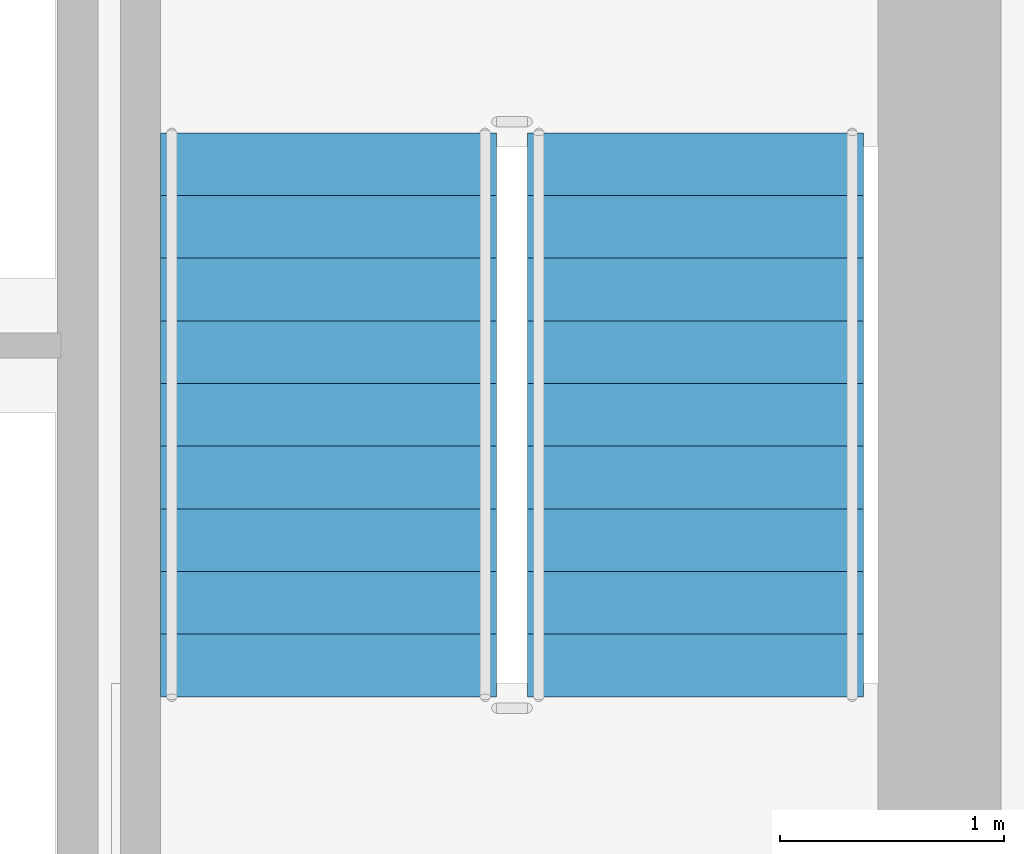
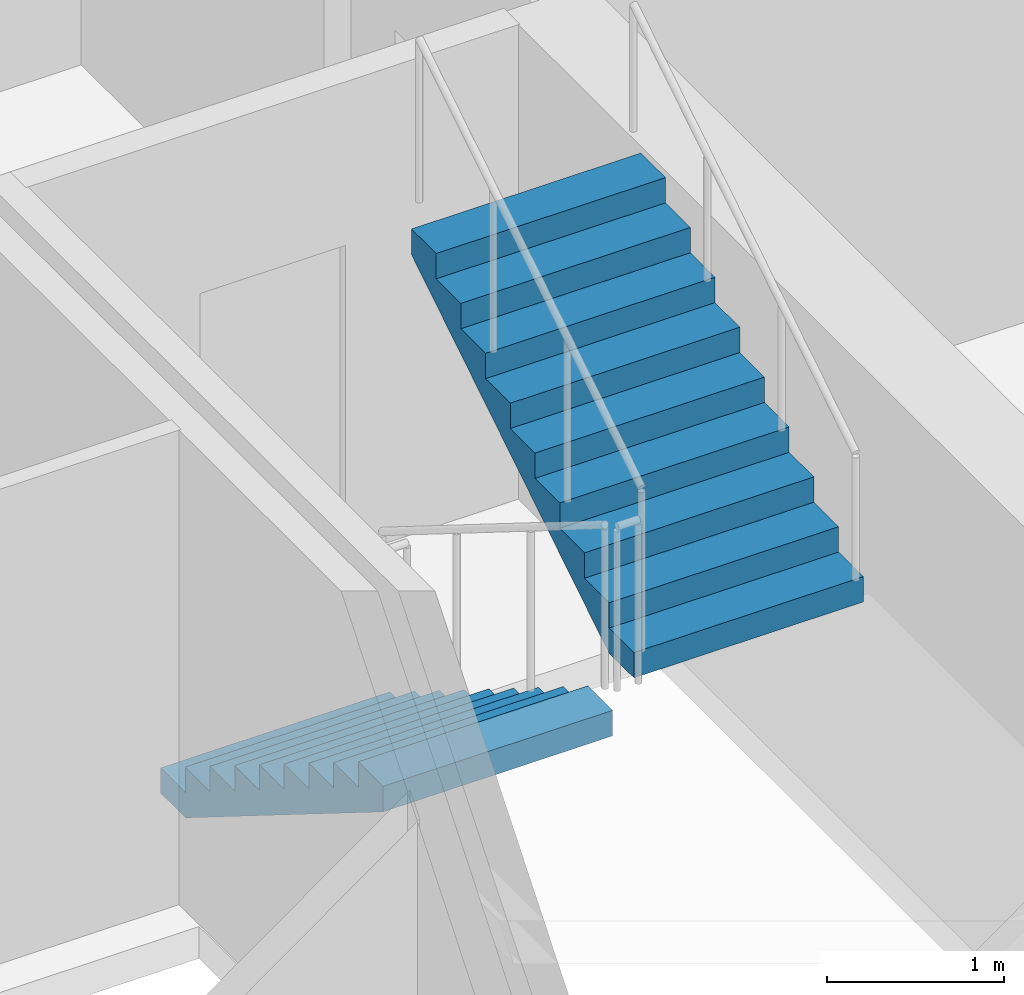
# One storey, part 6 of 11: 2 stair flights, 1 element without a shape of its own.
"""IFC4 building model written with IfcOpenShell, lengths in metres."""

from ifc_helpers import new_model, si_unit, direction, frame, origin, place, context, subcontext, project, spatial, polyline, outline, extrude, material, type_object, element, aggregate, save


model = new_model("IFC4")

# Units and contexts
model_context = context("Model", 3, precision=1e-05, world=origin(), true_north=direction((0.0, 1.0)))
body_context = subcontext(model_context, "Body", "Model", "MODEL_VIEW")
ifc_project = project(units=[si_unit("LENGTHUNIT", "METRE"), si_unit("AREAUNIT", "SQUARE_METRE"), si_unit("VOLUMEUNIT", "CUBIC_METRE"), si_unit("PLANEANGLEUNIT", "RADIAN"), si_unit("MASSUNIT", "GRAM", prefix="KILO")], contexts=[model_context])

# Site, building, storey
site_placement = place(None, origin())
site = spatial("IfcSite", under=ifc_project, at=site_placement, CompositionType="ELEMENT")
building_placement = place(site_placement, origin())
building = spatial("IfcBuilding", under=site, at=building_placement, Name="Cairnveth Concourse Tower", CompositionType="ELEMENT")
storey_placement = place(building_placement, frame((0.0, 0.0, 44.5)))
storey = spatial("IfcBuildingStorey", under=building, at=storey_placement, Name="L11", CompositionType="ELEMENT", Elevation=44.5)

# Stair, stair flights
ifc_material = material(Name="Precast concrete N50 (50 MPa)", Category="concrete")
stair_type = type_object("IfcStairType", Name="CORE DOG-LEG FIRE STAIR 1500", PredefinedType="HALF_TURN_STAIR", material=ifc_material)
stair_placement = place(storey_placement, origin())
stair = element("IfcStair", 1, at=stair_placement, inside=storey, type_object=stair_type, Name="L11 Fire-Isolated Stair ST-2", PredefinedType="HALF_TURN_STAIR")
stair_flight_type = type_object("IfcStairFlightType", Name="PRECAST CONCRETE STAIR FLIGHT 1500", PredefinedType="STRAIGHT", material=ifc_material)
stair_flight_1_placement = place(storey_placement, frame((57.77001953125, 37.10009765625, 0.0), z_axis=(0.0, 0.0, 1.0), x_axis=(0.0, -1.0, 0.0)))
stair_flight_1 = element("IfcStairFlight", 2, at=stair_flight_1_placement, type_object=stair_flight_type, Name="ST-2 flight 1", NumberOfRisers=10, NumberOfTreads=9, PredefinedType="STRAIGHT", RiserHeight=0.175, TreadLength=0.28, context=body_context, shape_type="SweptSolid", body=[
    extrude(outline(polyline([(0.0, 0.0), (0.0, 0.175048828125), (0.280029296875, 0.175048828125), (0.280029296875, 0.35009765625), (0.56005859375, 0.35009765625), (0.56005859375, 0.52490234375), (0.840087890625, 0.52490234375), (0.840087890625, 0.699951171875), (1.1201171875, 0.699951171875), (1.1201171875, 0.875), (1.39990234375, 0.875), (1.39990234375, 1.050048828125), (1.679931640625, 1.050048828125), (1.679931640625, 1.22509765625), (1.9599609375, 1.22509765625), (1.9599609375, 1.39990234375), (2.239990234375, 1.39990234375), (2.239990234375, 1.574951171875), (2.52001953125, 1.574951171875), (2.52001953125, 1.75), (2.52001953125, 1.398193359375), (0.28271484375, 0.0), (0.0, 0.0)])), frame((0.0, 0.75, 0.0), z_axis=(0.0, -1.0, 0.0), x_axis=(1.0, 0.0, 0.0)), (0.0, 0.0, 1.0), 1.5),
])
stair_flight_2_placement = place(storey_placement, frame((59.409912109375, 34.580078125, 1.75), z_axis=(0.0, 0.0, 1.0), x_axis=(0.0, 1.0, 0.0)))
stair_flight_2 = element("IfcStairFlight", 3, at=stair_flight_2_placement, type_object=stair_flight_type, Name="ST-2 flight 2", NumberOfRisers=10, NumberOfTreads=9, PredefinedType="STRAIGHT", RiserHeight=0.175, TreadLength=0.28, context=body_context, shape_type="SweptSolid", body=[
    extrude(outline(polyline([(0.0, 0.0), (0.0, 0.175048828125), (0.280029296875, 0.175048828125), (0.280029296875, 0.35009765625), (0.56005859375, 0.35009765625), (0.56005859375, 0.52490234375), (0.840087890625, 0.52490234375), (0.840087890625, 0.699951171875), (1.1201171875, 0.699951171875), (1.1201171875, 0.875), (1.39990234375, 0.875), (1.39990234375, 1.050048828125), (1.679931640625, 1.050048828125), (1.679931640625, 1.22509765625), (1.9599609375, 1.22509765625), (1.9599609375, 1.39990234375), (2.239990234375, 1.39990234375), (2.239990234375, 1.574951171875), (2.52001953125, 1.574951171875), (2.52001953125, 1.75), (2.52001953125, 1.398193359375), (0.28271484375, 0.0), (0.0, 0.0)])), frame((0.0, 0.75, 0.0), z_axis=(0.0, -1.0, 0.0), x_axis=(1.0, 0.0, 0.0)), (0.0, 0.0, 1.0), 1.5),
])
aggregate(stair, [stair_flight_1, stair_flight_2])

save(model, "model.ifc")
